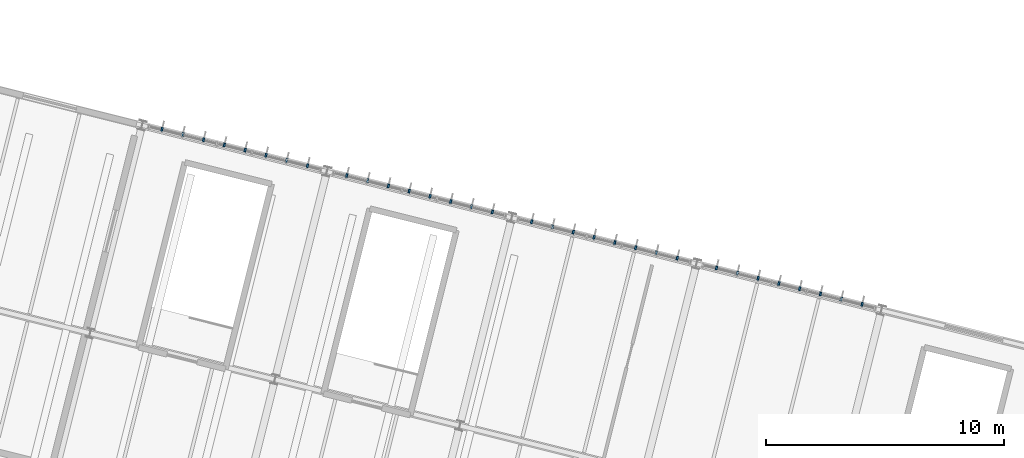
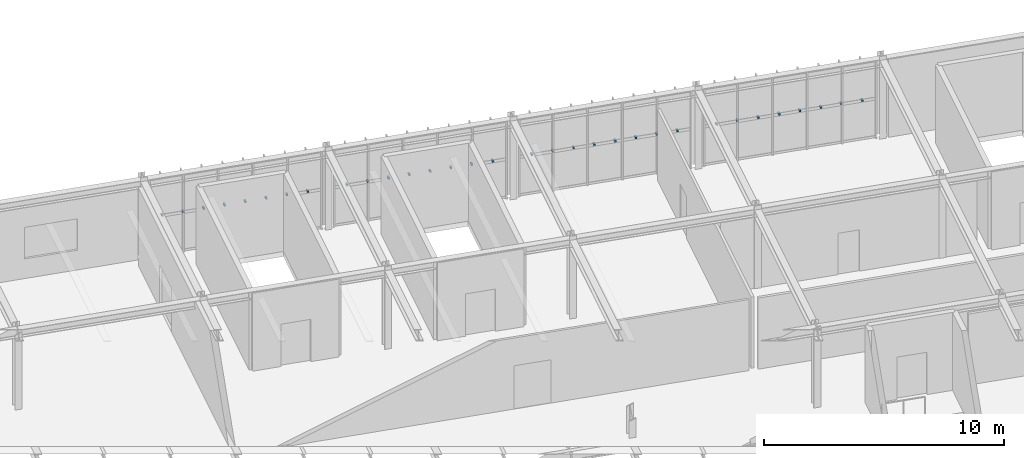
# One storey, part 27 of 30: 32 discrete accessories.
"""IFC4 building model written with IfcOpenShell, lengths in metres."""

from ifc_helpers import new_model, si_unit, derived_unit, direction, frame, origin, origin_2d, place, context, subcontext, project, spatial, rectangle, extrude, material, type_object, element, save


model = new_model("IFC4")

# Units and contexts
model_context = context("Model", 3, precision=1e-05, world=origin(), true_north=direction((0.0, 1.0)))
body_context = subcontext(model_context, "Body", "Model", "MODEL_VIEW")
ifc_project = project(units=[si_unit("LENGTHUNIT", "METRE"), si_unit("AREAUNIT", "SQUARE_METRE"), si_unit("VOLUMEUNIT", "CUBIC_METRE"), si_unit("PLANEANGLEUNIT", "RADIAN"), si_unit("MASSUNIT", "GRAM", prefix="KILO"), si_unit("THERMODYNAMICTEMPERATUREUNIT", "KELVIN"), si_unit("TIMEUNIT", "SECOND"), derived_unit("THERMALTRANSMITTANCEUNIT", [(si_unit("MASSUNIT", "GRAM", prefix="KILO"), 1), (si_unit("THERMODYNAMICTEMPERATUREUNIT", "KELVIN"), -1), (si_unit("TIMEUNIT", "SECOND"), -3)])], contexts=[model_context])

# Site, building, storey
site_placement = place(None, origin())
site = spatial("IfcSite", under=ifc_project, at=site_placement, CompositionType="ELEMENT")
building_placement = place(site_placement, origin())
building = spatial("IfcBuilding", under=site, at=building_placement, Name="Cambertide Market Hall", CompositionType="ELEMENT")
storey_placement = place(building_placement, frame((0.0, 0.0, 14.10009765625)))
storey = spatial("IfcBuildingStorey", under=building, at=storey_placement, Name="L04", CompositionType="ELEMENT", Elevation=14.10009765625)

# Discrete accessories
ifc_material = material(Name="Stainless Steel Grade 316", Category="metal")
discrete_accessory_type = type_object("IfcDiscreteAccessoryType", Name="Stainless Fin Outrigger Tie Bracket", PredefinedType="BRACKET", material=ifc_material)
for number, where, z_axis, x_axis, name in (
    (1, (138.666259765625, 120.20556640625, 1.93994140625), (0.0, 0.0, 1.0), (0.970142500145, -0.242535625038, 0.0), "CW-V4N-L04-4 Fin Tie Bracket 1"),
    (2, (139.539306640625, 119.9873046875, 1.93994140625), (0.0, 0.0, 1.0), (0.970142500145, -0.242535625038, 0.0), "CW-V4N-L04-4 Fin Tie Bracket 2"),
    (3, (140.412353515625, 119.76904296875, 1.93994140625), (0.0, 0.0, 1.0), (0.970142500145, -0.242535625038, 0.0), "CW-V4N-L04-4 Fin Tie Bracket 3"),
    (4, (141.28564453125, 119.55078125, 1.93994140625), (0.0, 0.0, 1.0), (0.970142500145, -0.242535625038, 0.0), "CW-V4N-L04-4 Fin Tie Bracket 4"),
    (5, (142.15869140625, 119.33251953125, 1.93994140625), (0.0, 0.0, 1.0), (0.970142500145, -0.242535625038, 0.0), "CW-V4N-L04-4 Fin Tie Bracket 5"),
    (6, (143.03173828125, 119.1142578125, 1.93994140625), (0.0, 0.0, 1.0), (0.970142500145, -0.242535625038, 0.0), "CW-V4N-L04-4 Fin Tie Bracket 6"),
    (7, (143.905029296875, 118.89599609375, 1.93994140625), (0.0, 0.0, 1.0), (0.970142500145, -0.242535625038, 0.0), "CW-V4N-L04-4 Fin Tie Bracket 7"),
    (8, (144.778076171875, 118.677734375, 1.93994140625), (0.0, 0.0, 1.0), (0.970142500145, -0.242535625038, 0.0), "CW-V4N-L04-4 Fin Tie Bracket 8"),
    (9, (146.42724609375, 118.265380859375, 1.93994140625), (0.0, 0.0, 1.0), (0.970142500145, -0.242535625038, 0.0), "CW-V4N-L04-5 Fin Tie Bracket 1"),
    (10, (147.300537109375, 118.047119140625, 1.93994140625), (0.0, 0.0, 1.0), (0.970142500145, -0.242535625038, 0.0), "CW-V4N-L04-5 Fin Tie Bracket 2"),
    (11, (148.173583984375, 117.828857421875, 1.93994140625), (0.0, 0.0, 1.0), (0.970142500145, -0.242535625038, 0.0), "CW-V4N-L04-5 Fin Tie Bracket 3"),
    (12, (149.046630859375, 117.610595703125, 1.93994140625), (0.0, 0.0, 1.0), (0.970142500145, -0.242535625038, 0.0), "CW-V4N-L04-5 Fin Tie Bracket 4"),
    (13, (149.919921875, 117.392333984375, 1.93994140625), (0.0, 0.0, 1.0), (0.970142500145, -0.242535625038, 0.0), "CW-V4N-L04-5 Fin Tie Bracket 5"),
    (14, (150.79296875, 117.173828125, 1.93994140625), (0.0, 0.0, 1.0), (0.970142500145, -0.242535625038, 0.0), "CW-V4N-L04-5 Fin Tie Bracket 6"),
    (15, (151.666015625, 116.95556640625, 1.93994140625), (0.0, 0.0, 1.0), (0.970142500145, -0.242535625038, 0.0), "CW-V4N-L04-5 Fin Tie Bracket 7"),
    (16, (152.539306640625, 116.7373046875, 1.93994140625), (0.0, 0.0, 1.0), (0.970142500145, -0.242535625038, 0.0), "CW-V4N-L04-5 Fin Tie Bracket 8"),
    (17, (154.1884765625, 116.324951171875, 1.93994140625), (0.0, 0.0, 1.0), (0.970142500145, -0.242535625038, 0.0), "CW-V4N-L04-6 Fin Tie Bracket 1"),
    (18, (155.0615234375, 116.106689453125, 1.93994140625), (0.0, 0.0, 1.0), (0.970142500145, -0.242535625038, 0.0), "CW-V4N-L04-6 Fin Tie Bracket 2"),
    (19, (155.934814453125, 115.888427734375, 1.93994140625), (0.0, 0.0, 1.0), (0.970142500145, -0.242535625038, 0.0), "CW-V4N-L04-6 Fin Tie Bracket 3"),
    (20, (156.807861328125, 115.670166015625, 1.93994140625), (0.0, 0.0, 1.0), (0.970142500145, -0.242535625038, 0.0), "CW-V4N-L04-6 Fin Tie Bracket 4"),
    (21, (157.680908203125, 115.451904296875, 1.93994140625), (0.0, 0.0, 1.0), (0.970142500145, -0.242535625038, 0.0), "CW-V4N-L04-6 Fin Tie Bracket 5"),
    (22, (158.55419921875, 115.233642578125, 1.93994140625), (0.0, 0.0, 1.0), (0.970142500145, -0.242535625038, 0.0), "CW-V4N-L04-6 Fin Tie Bracket 6"),
    (23, (159.42724609375, 115.015380859375, 1.93994140625), (0.0, 0.0, 1.0), (0.970142500145, -0.242535625038, 0.0), "CW-V4N-L04-6 Fin Tie Bracket 7"),
    (24, (160.30029296875, 114.797119140625, 1.93994140625), (0.0, 0.0, 1.0), (0.970142500145, -0.242535625038, 0.0), "CW-V4N-L04-6 Fin Tie Bracket 8"),
    (25, (161.94970703125, 114.384765625, 1.93994140625), (0.0, 0.0, 1.0), (0.970142500145, -0.242535625038, 0.0), "CW-V4N-L04-7 Fin Tie Bracket 1"),
    (26, (162.82275390625, 114.16650390625, 1.93994140625), (0.0, 0.0, 1.0), (0.970142500145, -0.242535625038, 0.0), "CW-V4N-L04-7 Fin Tie Bracket 2"),
    (27, (163.69580078125, 113.9482421875, 1.93994140625), (0.0, 0.0, 1.0), (0.970142500145, -0.242535625038, 0.0), "CW-V4N-L04-7 Fin Tie Bracket 3"),
    (28, (164.569091796875, 113.72998046875, 1.93994140625), (0.0, 0.0, 1.0), (0.970142500145, -0.242535625038, 0.0), "CW-V4N-L04-7 Fin Tie Bracket 4"),
    (29, (165.442138671875, 113.51171875, 1.93994140625), (0.0, 0.0, 1.0), (0.970142500145, -0.242535625038, 0.0), "CW-V4N-L04-7 Fin Tie Bracket 5"),
    (30, (166.315185546875, 113.29345703125, 1.93994140625), (0.0, 0.0, 1.0), (0.970142500145, -0.242535625038, 0.0), "CW-V4N-L04-7 Fin Tie Bracket 6"),
    (31, (167.1884765625, 113.0751953125, 1.93994140625), (0.0, 0.0, 1.0), (0.970142500145, -0.242535625038, 0.0), "CW-V4N-L04-7 Fin Tie Bracket 7"),
    (32, (168.0615234375, 112.85693359375, 1.93994140625), (0.0, 0.0, 1.0), (0.970142500145, -0.242535625038, 0.0), "CW-V4N-L04-7 Fin Tie Bracket 8"),
):
    element("IfcDiscreteAccessory", number, at=place(storey_placement, frame(where, z_axis=z_axis, x_axis=x_axis)), inside=storey, type_object=discrete_accessory_type, Name=name, PredefinedType="BRACKET", context=body_context, shape_type="SweptSolid", body=[
        extrude(rectangle(XDim=0.080078125, YDim=0.159912109375, at=origin_2d()), origin(), (0.0, 0.0, 1.0), 0.080078125),
    ])

save(model, "model.ifc")
